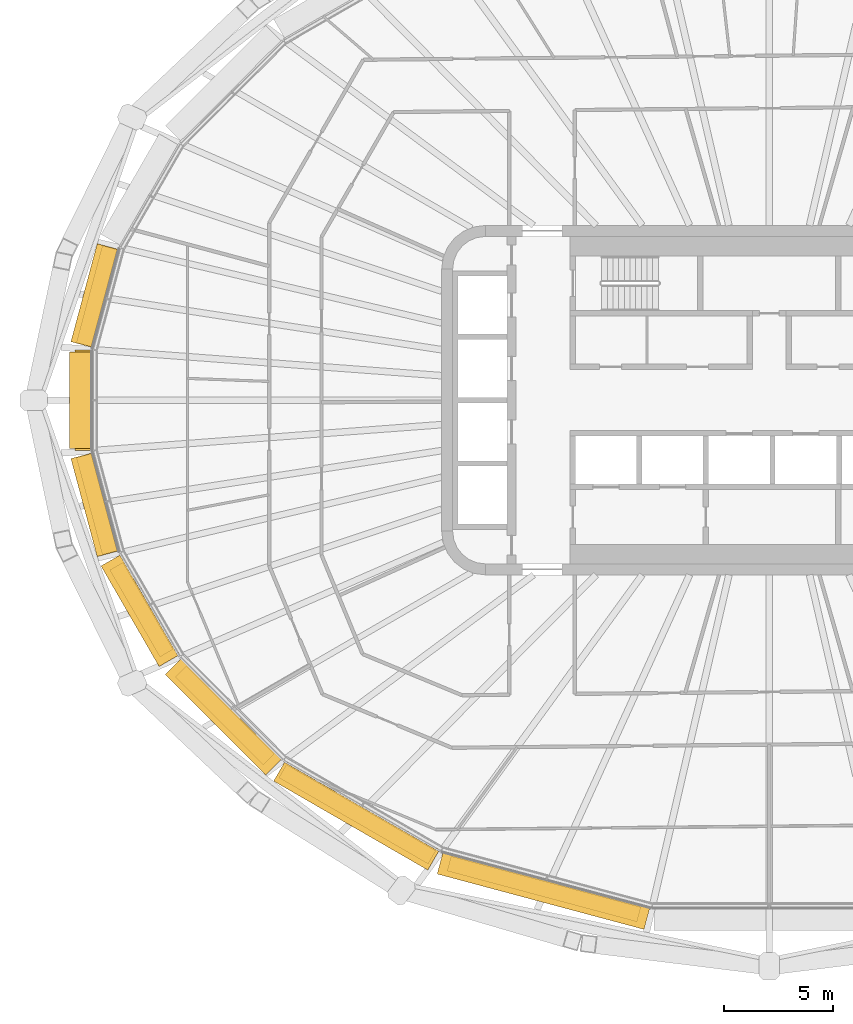
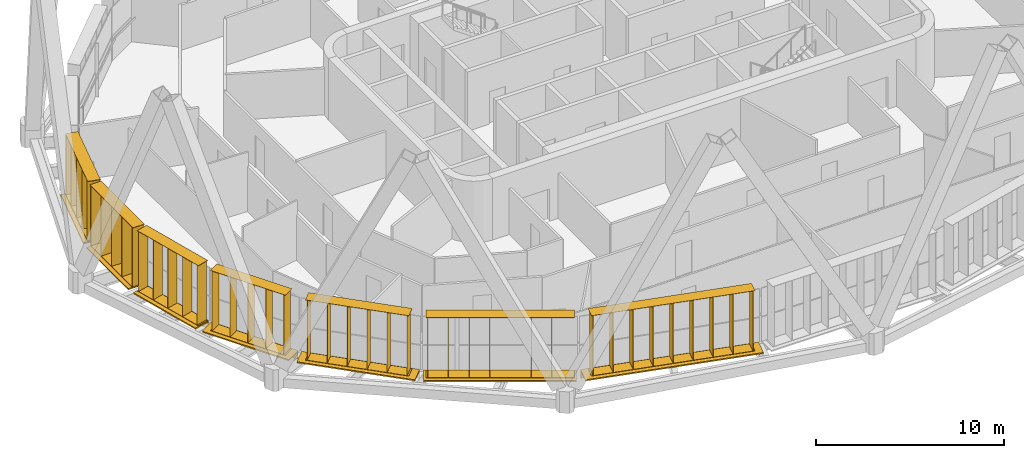
# One storey, part 19 of 25: 14 shading devices.
"""IFC4 building model written with IfcOpenShell, lengths in metres."""

from ifc_helpers import new_model, si_unit, direction, frame, origin, origin_2d, place, context, subcontext, project, spatial, rectangle, extrude, material, type_object, element, save


model = new_model("IFC4")

# Units and contexts
model_context = context("Model", 3, precision=1e-05, world=origin(), true_north=direction((0.0, 1.0)))
body_context = subcontext(model_context, "Body", "Model", "MODEL_VIEW")
ifc_project = project(units=[si_unit("LENGTHUNIT", "METRE"), si_unit("AREAUNIT", "SQUARE_METRE"), si_unit("VOLUMEUNIT", "CUBIC_METRE"), si_unit("PLANEANGLEUNIT", "RADIAN"), si_unit("MASSUNIT", "GRAM", prefix="KILO")], contexts=[model_context])

# Site, building, storey
site_placement = place(None, origin())
site = spatial("IfcSite", under=ifc_project, at=site_placement, CompositionType="ELEMENT")
building_placement = place(site_placement, origin())
building = spatial("IfcBuilding", under=site, at=building_placement, Name="Sahrelin Media Tower", CompositionType="ELEMENT")
storey_placement = place(building_placement, frame((0.0, 0.0, 181.60009765625)))
storey = spatial("IfcBuildingStorey", under=building, at=storey_placement, Name="L38", CompositionType="ELEMENT", Elevation=181.60009765625)

# Shading devices
ifc_material = material(Name="Champagne anodised aluminium 6063-T6", Category="aluminium")
shading_device_type_1 = type_object("IfcShadingDeviceType", Name="Fin cassette", PredefinedType="USERDEFINED", material=ifc_material)
placement_1 = place(storey_placement, frame((-30.388427734375, 4.656982421875, 0.0), z_axis=(0.0, 0.0, 1.0), x_axis=(0.258807731996, 0.965928857556, 0.0)))
element("IfcShadingDevice", 1, at=placement_1, inside=storey, type_object=shading_device_type_1, Name="L38:FIN:L38-11", ObjectType="FIN", PredefinedType="USERDEFINED", context=body_context, shape_type="SweptSolid", body=[
    extrude(rectangle(XDim=4.60009765625, YDim=0.699951171875, at=origin_2d()), frame((0.0, 0.419921875, 0.0)), (0.0, 0.0, 1.0), 0.02001953125),
    extrude(rectangle(XDim=4.60009765625, YDim=0.699951171875, at=origin_2d()), frame((0.0, 0.419921875, 3.89990234375)), (0.0, 0.0, 1.0), 0.02001953125),
    extrude(rectangle(XDim=0.02001953125, YDim=0.699951171875, at=origin_2d()), frame((-2.199951171875, 0.419921875, 0.010009765625), z_axis=(0.0, 0.0, 1.0), x_axis=(1.0, 0.0, 0.0)), (0.0, 0.0, 1.0), 3.89990234375),
    extrude(rectangle(XDim=0.02001953125, YDim=0.699951171875, at=origin_2d()), frame((-1.10009765625, 0.419921875, 0.010009765625), z_axis=(0.0, 0.0, 1.0), x_axis=(1.0, 0.0, 0.0)), (0.0, 0.0, 1.0), 3.89990234375),
    extrude(rectangle(XDim=0.02001953125, YDim=0.699951171875, at=origin_2d()), frame((0.0, 0.419921875, 0.010009765625), z_axis=(0.0, 0.0, 1.0), x_axis=(1.0, 0.0, 0.0)), (0.0, 0.0, 1.0), 3.89990234375),
    extrude(rectangle(XDim=0.02001953125, YDim=0.699951171875, at=origin_2d()), frame((1.10009765625, 0.419921875, 0.010009765625), z_axis=(0.0, 0.0, 1.0), x_axis=(1.0, 0.0, 0.0)), (0.0, 0.0, 1.0), 3.89990234375),
    extrude(rectangle(XDim=0.02001953125, YDim=0.699951171875, at=origin_2d()), frame((2.199951171875, 0.419921875, 0.010009765625), z_axis=(0.0, 0.0, 1.0), x_axis=(1.0, 0.0, 0.0)), (0.0, 0.0, 1.0), 3.89990234375),
])
placement_2 = place(storey_placement, frame((-31.015625, 0.0, 0.0), z_axis=(0.0, 0.0, 1.0), x_axis=(0.0, 1.0, 0.0)))
element("IfcShadingDevice", 2, at=placement_2, inside=storey, type_object=shading_device_type_1, Name="L38:FIN:L38-12", ObjectType="FIN", PredefinedType="USERDEFINED", context=body_context, shape_type="SweptSolid", body=[
    extrude(rectangle(XDim=4.60009765625, YDim=0.699951171875, at=origin_2d()), frame((0.0, 0.419921875, 0.0)), (0.0, 0.0, 1.0), 0.02001953125),
    extrude(rectangle(XDim=4.60009765625, YDim=0.699951171875, at=origin_2d()), frame((0.0, 0.419921875, 3.89990234375)), (0.0, 0.0, 1.0), 0.02001953125),
    extrude(rectangle(XDim=0.02001953125, YDim=0.699951171875, at=origin_2d()), frame((-2.199951171875, 0.419921875, 0.010009765625), z_axis=(0.0, 0.0, 1.0), x_axis=(1.0, 0.0, 0.0)), (0.0, 0.0, 1.0), 3.89990234375),
    extrude(rectangle(XDim=0.02001953125, YDim=0.699951171875, at=origin_2d()), frame((-1.10009765625, 0.419921875, 0.010009765625), z_axis=(0.0, 0.0, 1.0), x_axis=(1.0, 0.0, 0.0)), (0.0, 0.0, 1.0), 3.89990234375),
    extrude(rectangle(XDim=0.02001953125, YDim=0.699951171875, at=origin_2d()), frame((0.0, 0.419921875, 0.010009765625), z_axis=(0.0, 0.0, 1.0), x_axis=(1.0, 0.0, 0.0)), (0.0, 0.0, 1.0), 3.89990234375),
    extrude(rectangle(XDim=0.02001953125, YDim=0.699951171875, at=origin_2d()), frame((1.10009765625, 0.419921875, 0.010009765625), z_axis=(0.0, 0.0, 1.0), x_axis=(1.0, 0.0, 0.0)), (0.0, 0.0, 1.0), 3.89990234375),
    extrude(rectangle(XDim=0.02001953125, YDim=0.699951171875, at=origin_2d()), frame((2.199951171875, 0.419921875, 0.010009765625), z_axis=(0.0, 0.0, 1.0), x_axis=(1.0, 0.0, 0.0)), (0.0, 0.0, 1.0), 3.89990234375),
])
placement_3 = place(storey_placement, frame((-30.388427734375, -4.65673828125, 0.0), z_axis=(0.0, 0.0, 1.0), x_axis=(-0.258807731996, 0.965928857556, 0.0)))
element("IfcShadingDevice", 3, at=placement_3, inside=storey, type_object=shading_device_type_1, Name="L38:FIN:L38-13", ObjectType="FIN", PredefinedType="USERDEFINED", context=body_context, shape_type="SweptSolid", body=[
    extrude(rectangle(XDim=4.60009765625, YDim=0.699951171875, at=origin_2d()), frame((0.0, 0.419921875, 0.0)), (0.0, 0.0, 1.0), 0.02001953125),
    extrude(rectangle(XDim=4.60009765625, YDim=0.699951171875, at=origin_2d()), frame((0.0, 0.419921875, 3.89990234375)), (0.0, 0.0, 1.0), 0.02001953125),
    extrude(rectangle(XDim=0.02001953125, YDim=0.699951171875, at=origin_2d()), frame((-2.199951171875, 0.419921875, 0.010009765625), z_axis=(0.0, 0.0, 1.0), x_axis=(1.0, 0.0, 0.0)), (0.0, 0.0, 1.0), 3.89990234375),
    extrude(rectangle(XDim=0.02001953125, YDim=0.699951171875, at=origin_2d()), frame((-1.10009765625, 0.419921875, 0.010009765625), z_axis=(0.0, 0.0, 1.0), x_axis=(1.0, 0.0, 0.0)), (0.0, 0.0, 1.0), 3.89990234375),
    extrude(rectangle(XDim=0.02001953125, YDim=0.699951171875, at=origin_2d()), frame((0.0, 0.419921875, 0.010009765625), z_axis=(0.0, 0.0, 1.0), x_axis=(1.0, 0.0, 0.0)), (0.0, 0.0, 1.0), 3.89990234375),
    extrude(rectangle(XDim=0.02001953125, YDim=0.699951171875, at=origin_2d()), frame((1.10009765625, 0.419921875, 0.010009765625), z_axis=(0.0, 0.0, 1.0), x_axis=(1.0, 0.0, 0.0)), (0.0, 0.0, 1.0), 3.89990234375),
    extrude(rectangle(XDim=0.02001953125, YDim=0.699951171875, at=origin_2d()), frame((2.199951171875, 0.419921875, 0.010009765625), z_axis=(0.0, 0.0, 1.0), x_axis=(1.0, 0.0, 0.0)), (0.0, 0.0, 1.0), 3.89990234375),
])
placement_4 = place(storey_placement, frame((-28.383056640625, -9.384765625, 0.0), z_axis=(0.0, 0.0, 1.0), x_axis=(-0.500011000363, 0.866019052629, 0.0)))
element("IfcShadingDevice", 4, at=placement_4, inside=storey, type_object=shading_device_type_1, Name="L38:FIN:L38-14", ObjectType="FIN", PredefinedType="USERDEFINED", context=body_context, shape_type="SweptSolid", body=[
    extrude(rectangle(XDim=4.60009765625, YDim=0.699951171875, at=origin_2d()), frame((0.0, 0.419921875, 0.0)), (0.0, 0.0, 1.0), 0.02001953125),
    extrude(rectangle(XDim=4.60009765625, YDim=0.699951171875, at=origin_2d()), frame((0.0, 0.419921875, 3.89990234375)), (0.0, 0.0, 1.0), 0.02001953125),
    extrude(rectangle(XDim=0.02001953125, YDim=0.699951171875, at=origin_2d()), frame((-2.199951171875, 0.419921875, 0.010009765625), z_axis=(0.0, 0.0, 1.0), x_axis=(1.0, 0.0, 0.0)), (0.0, 0.0, 1.0), 3.89990234375),
    extrude(rectangle(XDim=0.02001953125, YDim=0.699951171875, at=origin_2d()), frame((-1.10009765625, 0.419921875, 0.010009765625), z_axis=(0.0, 0.0, 1.0), x_axis=(1.0, 0.0, 0.0)), (0.0, 0.0, 1.0), 3.89990234375),
    extrude(rectangle(XDim=0.02001953125, YDim=0.699951171875, at=origin_2d()), frame((0.0, 0.419921875, 0.010009765625), z_axis=(0.0, 0.0, 1.0), x_axis=(1.0, 0.0, 0.0)), (0.0, 0.0, 1.0), 3.89990234375),
    extrude(rectangle(XDim=0.02001953125, YDim=0.699951171875, at=origin_2d()), frame((1.10009765625, 0.419921875, 0.010009765625), z_axis=(0.0, 0.0, 1.0), x_axis=(1.0, 0.0, 0.0)), (0.0, 0.0, 1.0), 3.89990234375),
    extrude(rectangle(XDim=0.02001953125, YDim=0.699951171875, at=origin_2d()), frame((2.199951171875, 0.419921875, 0.010009765625), z_axis=(0.0, 0.0, 1.0), x_axis=(1.0, 0.0, 0.0)), (0.0, 0.0, 1.0), 3.89990234375),
])
placement_5 = place(storey_placement, frame((-24.635986328125, -14.140625, 0.0), z_axis=(0.0, 0.0, 1.0), x_axis=(-0.707106781187, 0.707106781187, 0.0)))
element("IfcShadingDevice", 5, at=placement_5, inside=storey, type_object=shading_device_type_1, Name="L38:FIN:L38-15", ObjectType="FIN", PredefinedType="USERDEFINED", context=body_context, shape_type="SweptSolid", body=[
    extrude(rectangle(XDim=5.699951171875, YDim=0.699951171875, at=origin_2d()), frame((0.0, 0.419921875, 0.0)), (0.0, 0.0, 1.0), 0.02001953125),
    extrude(rectangle(XDim=5.699951171875, YDim=0.699951171875, at=origin_2d()), frame((0.0, 0.419921875, 3.89990234375)), (0.0, 0.0, 1.0), 0.02001953125),
    extrude(rectangle(XDim=0.02001953125, YDim=0.699951171875, at=origin_2d()), frame((-2.75, 0.419921875, 0.010009765625), z_axis=(0.0, 0.0, 1.0), x_axis=(1.0, 0.0, 0.0)), (0.0, 0.0, 1.0), 3.89990234375),
    extrude(rectangle(XDim=0.02001953125, YDim=0.699951171875, at=origin_2d()), frame((-1.64990234375, 0.419921875, 0.010009765625), z_axis=(0.0, 0.0, 1.0), x_axis=(1.0, 0.0, 0.0)), (0.0, 0.0, 1.0), 3.89990234375),
    extrude(rectangle(XDim=0.02001953125, YDim=0.699951171875, at=origin_2d()), frame((-0.550048828125, 0.419921875, 0.010009765625), z_axis=(0.0, 0.0, 1.0), x_axis=(1.0, 0.0, 0.0)), (0.0, 0.0, 1.0), 3.89990234375),
    extrude(rectangle(XDim=0.02001953125, YDim=0.699951171875, at=origin_2d()), frame((0.550048828125, 0.419921875, 0.010009765625), z_axis=(0.0, 0.0, 1.0), x_axis=(1.0, 0.0, 0.0)), (0.0, 0.0, 1.0), 3.89990234375),
    extrude(rectangle(XDim=0.02001953125, YDim=0.699951171875, at=origin_2d()), frame((1.64990234375, 0.419921875, 0.010009765625), z_axis=(0.0, 0.0, 1.0), x_axis=(1.0, 0.0, 0.0)), (0.0, 0.0, 1.0), 3.89990234375),
    extrude(rectangle(XDim=0.02001953125, YDim=0.699951171875, at=origin_2d()), frame((2.75, 0.419921875, 0.010009765625), z_axis=(0.0, 0.0, 1.0), x_axis=(1.0, 0.0, 0.0)), (0.0, 0.0, 1.0), 3.89990234375),
])
placement_6 = place(storey_placement, frame((-18.652099609375, -18.5966796875, 0.0), z_axis=(0.0, 0.0, 1.0), x_axis=(-0.866019052629, 0.500011000363, 0.0)))
element("IfcShadingDevice", 6, at=placement_6, inside=storey, type_object=shading_device_type_1, Name="L38:FIN:L38-16", ObjectType="FIN", PredefinedType="USERDEFINED", context=body_context, shape_type="SweptSolid", body=[
    extrude(rectangle(XDim=7.89990234375, YDim=0.699951171875, at=origin_2d()), frame((0.0, 0.419921875, 0.0)), (0.0, 0.0, 1.0), 0.02001953125),
    extrude(rectangle(XDim=7.89990234375, YDim=0.699951171875, at=origin_2d()), frame((0.0, 0.419921875, 3.89990234375)), (0.0, 0.0, 1.0), 0.02001953125),
    extrude(rectangle(XDim=0.02001953125, YDim=0.699951171875, at=origin_2d()), frame((-3.85009765625, 0.419921875, 0.010009765625), z_axis=(0.0, 0.0, 1.0), x_axis=(1.0, 0.0, 0.0)), (0.0, 0.0, 1.0), 3.89990234375),
    extrude(rectangle(XDim=0.02001953125, YDim=0.699951171875, at=origin_2d()), frame((-2.75, 0.419921875, 0.010009765625), z_axis=(0.0, 0.0, 1.0), x_axis=(1.0, 0.0, 0.0)), (0.0, 0.0, 1.0), 3.89990234375),
    extrude(rectangle(XDim=0.02001953125, YDim=0.699951171875, at=origin_2d()), frame((-1.64990234375, 0.419921875, 0.010009765625), z_axis=(0.0, 0.0, 1.0), x_axis=(1.0, 0.0, 0.0)), (0.0, 0.0, 1.0), 3.89990234375),
    extrude(rectangle(XDim=0.02001953125, YDim=0.699951171875, at=origin_2d()), frame((-0.550048828125, 0.419921875, 0.010009765625), z_axis=(0.0, 0.0, 1.0), x_axis=(1.0, 0.0, 0.0)), (0.0, 0.0, 1.0), 3.89990234375),
    extrude(rectangle(XDim=0.02001953125, YDim=0.699951171875, at=origin_2d()), frame((0.550048828125, 0.419921875, 0.010009765625), z_axis=(0.0, 0.0, 1.0), x_axis=(1.0, 0.0, 0.0)), (0.0, 0.0, 1.0), 3.89990234375),
    extrude(rectangle(XDim=0.02001953125, YDim=0.699951171875, at=origin_2d()), frame((1.64990234375, 0.419921875, 0.010009765625), z_axis=(0.0, 0.0, 1.0), x_axis=(1.0, 0.0, 0.0)), (0.0, 0.0, 1.0), 3.89990234375),
    extrude(rectangle(XDim=0.02001953125, YDim=0.699951171875, at=origin_2d()), frame((2.75, 0.419921875, 0.010009765625), z_axis=(0.0, 0.0, 1.0), x_axis=(1.0, 0.0, 0.0)), (0.0, 0.0, 1.0), 3.89990234375),
    extrude(rectangle(XDim=0.02001953125, YDim=0.699951171875, at=origin_2d()), frame((3.85009765625, 0.419921875, 0.010009765625), z_axis=(0.0, 0.0, 1.0), x_axis=(1.0, 0.0, 0.0)), (0.0, 0.0, 1.0), 3.89990234375),
])
placement_7 = place(storey_placement, frame((-10.203857421875, -21.97900390625, 0.0), z_axis=(0.0, 0.0, 1.0), x_axis=(-0.965928857556, 0.258807731996, 0.0)))
element("IfcShadingDevice", 7, at=placement_7, inside=storey, type_object=shading_device_type_1, Name="L38:FIN:L38-17", ObjectType="FIN", PredefinedType="USERDEFINED", context=body_context, shape_type="SweptSolid", body=[
    extrude(rectangle(XDim=9.0, YDim=0.699951171875, at=origin_2d()), frame((0.0, 0.419921875, 0.0)), (0.0, 0.0, 1.0), 0.02001953125),
    extrude(rectangle(XDim=9.0, YDim=0.699951171875, at=origin_2d()), frame((0.0, 0.419921875, 3.89990234375)), (0.0, 0.0, 1.0), 0.02001953125),
    extrude(rectangle(XDim=0.02001953125, YDim=0.699951171875, at=origin_2d()), frame((-4.39990234375, 0.419921875, 0.010009765625), z_axis=(0.0, 0.0, 1.0), x_axis=(1.0, 0.0, 0.0)), (0.0, 0.0, 1.0), 3.89990234375),
    extrude(rectangle(XDim=0.02001953125, YDim=0.699951171875, at=origin_2d()), frame((-3.300048828125, 0.419921875, 0.010009765625), z_axis=(0.0, 0.0, 1.0), x_axis=(1.0, 0.0, 0.0)), (0.0, 0.0, 1.0), 3.89990234375),
    extrude(rectangle(XDim=0.02001953125, YDim=0.699951171875, at=origin_2d()), frame((-2.199951171875, 0.419921875, 0.010009765625), z_axis=(0.0, 0.0, 1.0), x_axis=(1.0, 0.0, 0.0)), (0.0, 0.0, 1.0), 3.89990234375),
    extrude(rectangle(XDim=0.02001953125, YDim=0.699951171875, at=origin_2d()), frame((-1.10009765625, 0.419921875, 0.010009765625), z_axis=(0.0, 0.0, 1.0), x_axis=(1.0, 0.0, 0.0)), (0.0, 0.0, 1.0), 3.89990234375),
    extrude(rectangle(XDim=0.02001953125, YDim=0.699951171875, at=origin_2d()), frame((0.0, 0.419921875, 0.010009765625), z_axis=(0.0, 0.0, 1.0), x_axis=(1.0, 0.0, 0.0)), (0.0, 0.0, 1.0), 3.89990234375),
    extrude(rectangle(XDim=0.02001953125, YDim=0.699951171875, at=origin_2d()), frame((1.10009765625, 0.419921875, 0.010009765625), z_axis=(0.0, 0.0, 1.0), x_axis=(1.0, 0.0, 0.0)), (0.0, 0.0, 1.0), 3.89990234375),
    extrude(rectangle(XDim=0.02001953125, YDim=0.699951171875, at=origin_2d()), frame((2.199951171875, 0.419921875, 0.010009765625), z_axis=(0.0, 0.0, 1.0), x_axis=(1.0, 0.0, 0.0)), (0.0, 0.0, 1.0), 3.89990234375),
    extrude(rectangle(XDim=0.02001953125, YDim=0.699951171875, at=origin_2d()), frame((3.300048828125, 0.419921875, 0.010009765625), z_axis=(0.0, 0.0, 1.0), x_axis=(1.0, 0.0, 0.0)), (0.0, 0.0, 1.0), 3.89990234375),
    extrude(rectangle(XDim=0.02001953125, YDim=0.699951171875, at=origin_2d()), frame((4.39990234375, 0.419921875, 0.010009765625), z_axis=(0.0, 0.0, 1.0), x_axis=(1.0, 0.0, 0.0)), (0.0, 0.0, 1.0), 3.89990234375),
])
shading_device_type_2 = type_object("IfcShadingDeviceType", Name="Sunshade band", PredefinedType="USERDEFINED", material=ifc_material)
element("IfcShadingDevice", 8, at=placement_1, inside=storey, type_object=shading_device_type_2, Name="L38:SUN:L38-11", ObjectType="SUNSHADE", PredefinedType="USERDEFINED", context=body_context, shape_type="SweptSolid", body=[
    extrude(rectangle(XDim=4.6455078125, YDim=0.050048828125, at=origin_2d()), frame((0.0, 0.044921875, -0.55126953125)), (0.0, 0.0, 1.0), 0.471435546875),
    extrude(rectangle(XDim=4.6455078125, YDim=1.0, at=origin_2d()), frame((0.0, 0.52001953125, -0.080078125)), (0.0, 0.0, 1.0), 0.080078125),
    extrude(rectangle(XDim=0.10009765625, YDim=0.074951171875, at=origin_2d()), frame((-2.222900390625, -0.017578125, -0.47021484375)), (0.0, 0.0, 1.0), 0.300048828125),
    extrude(rectangle(XDim=0.10009765625, YDim=0.074951171875, at=origin_2d()), frame((-0.740966796875, -0.017578125, -0.47021484375)), (0.0, 0.0, 1.0), 0.300048828125),
    extrude(rectangle(XDim=0.10009765625, YDim=0.074951171875, at=origin_2d()), frame((0.740966796875, -0.017578125, -0.47021484375)), (0.0, 0.0, 1.0), 0.300048828125),
    extrude(rectangle(XDim=0.10009765625, YDim=0.074951171875, at=origin_2d()), frame((2.222900390625, -0.017578125, -0.47021484375)), (0.0, 0.0, 1.0), 0.300048828125),
])
element("IfcShadingDevice", 9, at=placement_2, inside=storey, type_object=shading_device_type_2, Name="L38:SUN:L38-12", ObjectType="SUNSHADE", PredefinedType="USERDEFINED", context=body_context, shape_type="SweptSolid", body=[
    extrude(rectangle(XDim=4.43310546875, YDim=0.050048828125, at=origin_2d()), frame((0.0, 0.044921875, -0.55126953125)), (0.0, 0.0, 1.0), 0.471435546875),
    extrude(rectangle(XDim=4.43310546875, YDim=1.0, at=origin_2d()), frame((0.0, 0.52001953125, -0.080078125)), (0.0, 0.0, 1.0), 0.080078125),
    extrude(rectangle(XDim=0.10009765625, YDim=0.074951171875, at=origin_2d()), frame((-2.11669921875, -0.017578125, -0.47021484375)), (0.0, 0.0, 1.0), 0.300048828125),
    extrude(rectangle(XDim=0.10009765625, YDim=0.074951171875, at=origin_2d()), frame((-0.70556640625, -0.017578125, -0.47021484375)), (0.0, 0.0, 1.0), 0.300048828125),
    extrude(rectangle(XDim=0.10009765625, YDim=0.074951171875, at=origin_2d()), frame((0.70556640625, -0.017578125, -0.47021484375)), (0.0, 0.0, 1.0), 0.300048828125),
    extrude(rectangle(XDim=0.10009765625, YDim=0.074951171875, at=origin_2d()), frame((2.11669921875, -0.017578125, -0.47021484375)), (0.0, 0.0, 1.0), 0.300048828125),
])
element("IfcShadingDevice", 10, at=placement_3, inside=storey, type_object=shading_device_type_2, Name="L38:SUN:L38-13", ObjectType="SUNSHADE", PredefinedType="USERDEFINED", context=body_context, shape_type="SweptSolid", body=[
    extrude(rectangle(XDim=4.6455078125, YDim=0.050048828125, at=origin_2d()), frame((0.0, 0.044921875, -0.55126953125)), (0.0, 0.0, 1.0), 0.471435546875),
    extrude(rectangle(XDim=4.6455078125, YDim=1.0, at=origin_2d()), frame((0.0, 0.52001953125, -0.080078125)), (0.0, 0.0, 1.0), 0.080078125),
    extrude(rectangle(XDim=0.10009765625, YDim=0.074951171875, at=origin_2d()), frame((-2.222900390625, -0.017578125, -0.47021484375)), (0.0, 0.0, 1.0), 0.300048828125),
    extrude(rectangle(XDim=0.10009765625, YDim=0.074951171875, at=origin_2d()), frame((-0.740966796875, -0.017578125, -0.47021484375)), (0.0, 0.0, 1.0), 0.300048828125),
    extrude(rectangle(XDim=0.10009765625, YDim=0.074951171875, at=origin_2d()), frame((0.740966796875, -0.017578125, -0.47021484375)), (0.0, 0.0, 1.0), 0.300048828125),
    extrude(rectangle(XDim=0.10009765625, YDim=0.074951171875, at=origin_2d()), frame((2.222900390625, -0.017578125, -0.47021484375)), (0.0, 0.0, 1.0), 0.300048828125),
])
element("IfcShadingDevice", 11, at=placement_4, inside=storey, type_object=shading_device_type_2, Name="L38:SUN:L38-14", ObjectType="SUNSHADE", PredefinedType="USERDEFINED", context=body_context, shape_type="SweptSolid", body=[
    extrude(rectangle(XDim=5.313720703125, YDim=0.050048828125, at=origin_2d()), frame((0.0, 0.044921875, -0.55126953125)), (0.0, 0.0, 1.0), 0.471435546875),
    extrude(rectangle(XDim=5.313720703125, YDim=1.0, at=origin_2d()), frame((0.0, 0.52001953125, -0.080078125)), (0.0, 0.0, 1.0), 0.080078125),
    extrude(rectangle(XDim=0.10009765625, YDim=0.074951171875, at=origin_2d()), frame((-2.556884765625, -0.017578125, -0.47021484375)), (0.0, 0.0, 1.0), 0.300048828125),
    extrude(rectangle(XDim=0.10009765625, YDim=0.074951171875, at=origin_2d()), frame((-0.852294921875, -0.017578125, -0.47021484375)), (0.0, 0.0, 1.0), 0.300048828125),
    extrude(rectangle(XDim=0.10009765625, YDim=0.074951171875, at=origin_2d()), frame((0.852294921875, -0.017578125, -0.47021484375)), (0.0, 0.0, 1.0), 0.300048828125),
    extrude(rectangle(XDim=0.10009765625, YDim=0.074951171875, at=origin_2d()), frame((2.556884765625, -0.017578125, -0.47021484375)), (0.0, 0.0, 1.0), 0.300048828125),
])
element("IfcShadingDevice", 12, at=placement_5, inside=storey, type_object=shading_device_type_2, Name="L38:SUN:L38-15", ObjectType="SUNSHADE", PredefinedType="USERDEFINED", context=body_context, shape_type="SweptSolid", body=[
    extrude(rectangle(XDim=6.4990234375, YDim=0.050048828125, at=origin_2d()), frame((0.0, 0.044921875, -0.55126953125)), (0.0, 0.0, 1.0), 0.471435546875),
    extrude(rectangle(XDim=6.4990234375, YDim=1.0, at=origin_2d()), frame((0.0, 0.52001953125, -0.080078125)), (0.0, 0.0, 1.0), 0.080078125),
    extrude(rectangle(XDim=0.10009765625, YDim=0.074951171875, at=origin_2d()), frame((-3.149658203125, -0.017578125, -0.47021484375)), (0.0, 0.0, 1.0), 0.300048828125),
    extrude(rectangle(XDim=0.10009765625, YDim=0.074951171875, at=origin_2d()), frame((-1.57470703125, -0.017578125, -0.47021484375)), (0.0, 0.0, 1.0), 0.300048828125),
    extrude(rectangle(XDim=0.10009765625, YDim=0.074951171875, at=origin_2d()), frame((0.0, -0.017578125, -0.47021484375)), (0.0, 0.0, 1.0), 0.300048828125),
    extrude(rectangle(XDim=0.10009765625, YDim=0.074951171875, at=origin_2d()), frame((1.57470703125, -0.017578125, -0.47021484375)), (0.0, 0.0, 1.0), 0.300048828125),
    extrude(rectangle(XDim=0.10009765625, YDim=0.074951171875, at=origin_2d()), frame((3.149658203125, -0.017578125, -0.47021484375)), (0.0, 0.0, 1.0), 0.300048828125),
])
element("IfcShadingDevice", 13, at=placement_6, inside=storey, type_object=shading_device_type_2, Name="L38:SUN:L38-16", ObjectType="SUNSHADE", PredefinedType="USERDEFINED", context=body_context, shape_type="SweptSolid", body=[
    extrude(rectangle(XDim=8.149658203125, YDim=0.050048828125, at=origin_2d()), frame((0.0, 0.044921875, -0.55126953125)), (0.0, 0.0, 1.0), 0.471435546875),
    extrude(rectangle(XDim=8.149658203125, YDim=1.0, at=origin_2d()), frame((0.0, 0.52001953125, -0.080078125)), (0.0, 0.0, 1.0), 0.080078125),
    extrude(rectangle(XDim=0.10009765625, YDim=0.074951171875, at=origin_2d()), frame((-3.974853515625, -0.017578125, -0.47021484375)), (0.0, 0.0, 1.0), 0.300048828125),
    extrude(rectangle(XDim=0.10009765625, YDim=0.074951171875, at=origin_2d()), frame((-2.385009765625, -0.017578125, -0.47021484375)), (0.0, 0.0, 1.0), 0.300048828125),
    extrude(rectangle(XDim=0.10009765625, YDim=0.074951171875, at=origin_2d()), frame((-0.794921875, -0.017578125, -0.47021484375)), (0.0, 0.0, 1.0), 0.300048828125),
    extrude(rectangle(XDim=0.10009765625, YDim=0.074951171875, at=origin_2d()), frame((0.794921875, -0.017578125, -0.47021484375)), (0.0, 0.0, 1.0), 0.300048828125),
    extrude(rectangle(XDim=0.10009765625, YDim=0.074951171875, at=origin_2d()), frame((2.385009765625, -0.017578125, -0.47021484375)), (0.0, 0.0, 1.0), 0.300048828125),
    extrude(rectangle(XDim=0.10009765625, YDim=0.074951171875, at=origin_2d()), frame((3.974853515625, -0.017578125, -0.47021484375)), (0.0, 0.0, 1.0), 0.300048828125),
])
element("IfcShadingDevice", 14, at=placement_7, inside=storey, type_object=shading_device_type_2, Name="L38:SUN:L38-17", ObjectType="SUNSHADE", PredefinedType="USERDEFINED", context=body_context, shape_type="SweptSolid", body=[
    extrude(rectangle(XDim=9.805908203125, YDim=0.050048828125, at=origin_2d()), frame((0.0, 0.044921875, -0.55126953125)), (0.0, 0.0, 1.0), 0.471435546875),
    extrude(rectangle(XDim=9.805908203125, YDim=1.0, at=origin_2d()), frame((0.0, 0.52001953125, -0.080078125)), (0.0, 0.0, 1.0), 0.080078125),
    extrude(rectangle(XDim=0.10009765625, YDim=0.074951171875, at=origin_2d()), frame((-4.802978515625, -0.017578125, -0.47021484375)), (0.0, 0.0, 1.0), 0.300048828125),
    extrude(rectangle(XDim=0.10009765625, YDim=0.074951171875, at=origin_2d()), frame((-2.8818359375, -0.017578125, -0.47021484375)), (0.0, 0.0, 1.0), 0.300048828125),
    extrude(rectangle(XDim=0.10009765625, YDim=0.074951171875, at=origin_2d()), frame((-0.960693359375, -0.017578125, -0.47021484375)), (0.0, 0.0, 1.0), 0.300048828125),
    extrude(rectangle(XDim=0.10009765625, YDim=0.074951171875, at=origin_2d()), frame((0.960693359375, -0.017578125, -0.47021484375)), (0.0, 0.0, 1.0), 0.300048828125),
    extrude(rectangle(XDim=0.10009765625, YDim=0.074951171875, at=origin_2d()), frame((2.8818359375, -0.017578125, -0.47021484375)), (0.0, 0.0, 1.0), 0.300048828125),
    extrude(rectangle(XDim=0.10009765625, YDim=0.074951171875, at=origin_2d()), frame((4.802978515625, -0.017578125, -0.47021484375)), (0.0, 0.0, 1.0), 0.300048828125),
])

save(model, "model.ifc")
